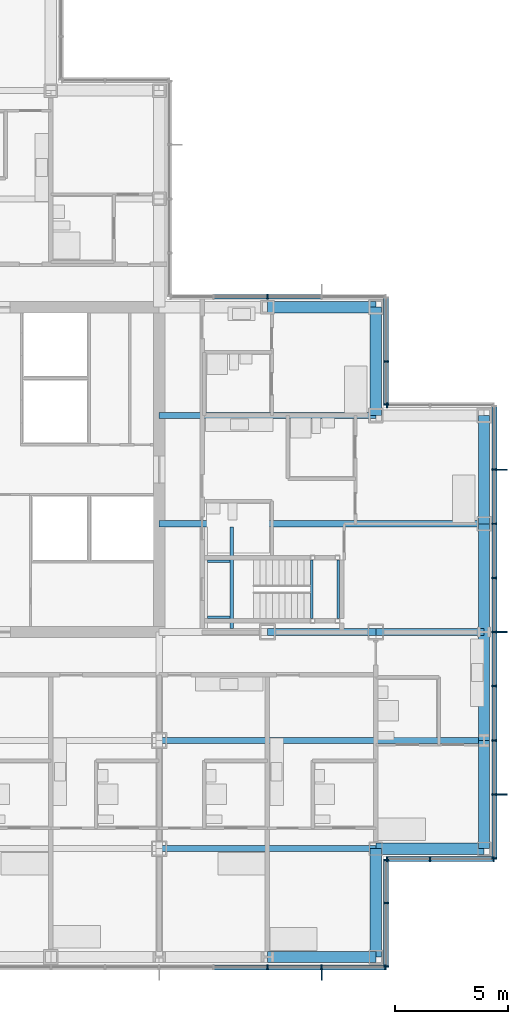
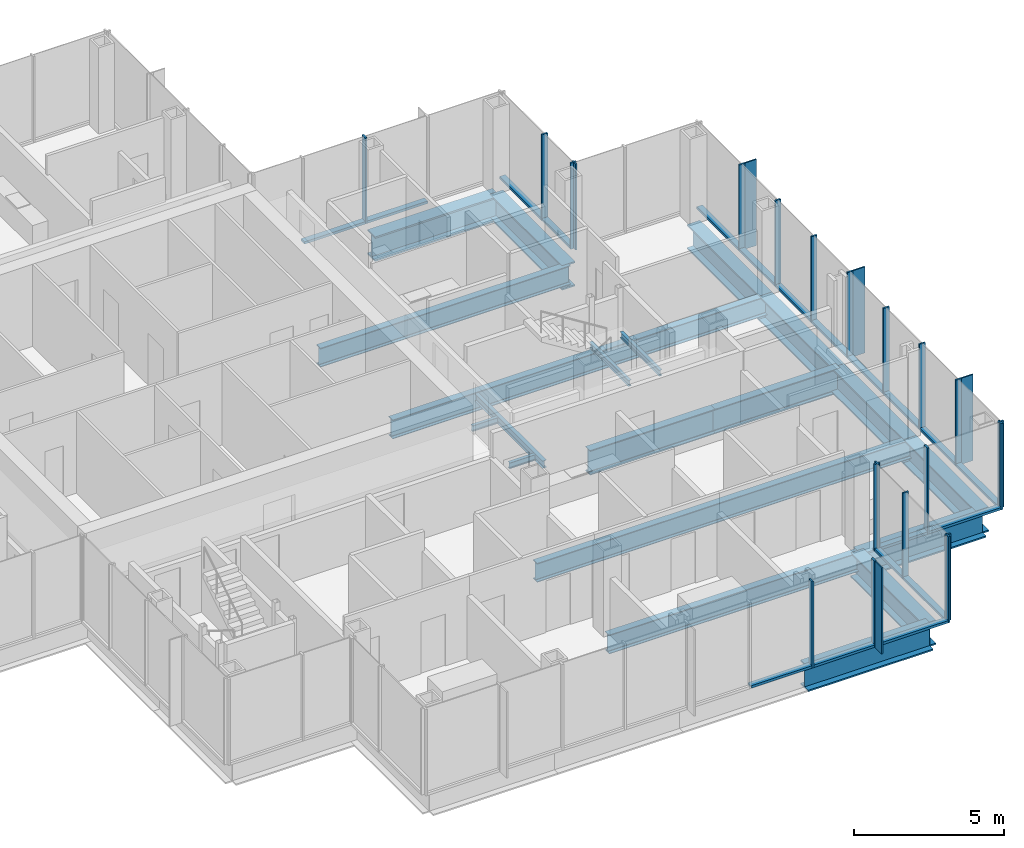
# One storey, part 8 of 20: 44 members, 20 beams, 7 elements without a shape of their own.
"""IFC4 building model written with IfcOpenShell, lengths in metres."""

from ifc_helpers import new_model, si_unit, direction, frame, origin, origin_2d, place, context, subcontext, project, spatial, rectangle, i_section, extrude, material, material_profile, profile_set, type_object, element, aggregate, save


model = new_model("IFC4")

# Units and contexts
model_context = context("Model", 3, precision=1e-05, world=origin(), true_north=direction((0.0, 1.0)))
body_context = subcontext(model_context, "Body", "Model", "MODEL_VIEW")
ifc_project = project(units=[si_unit("LENGTHUNIT", "METRE"), si_unit("AREAUNIT", "SQUARE_METRE"), si_unit("VOLUMEUNIT", "CUBIC_METRE"), si_unit("PLANEANGLEUNIT", "RADIAN"), si_unit("MASSUNIT", "GRAM", prefix="KILO")], contexts=[model_context])

# Site, building, storey
site_placement = place(None, origin())
site = spatial("IfcSite", under=ifc_project, at=site_placement, CompositionType="ELEMENT")
building_placement = place(site_placement, origin())
building = spatial("IfcBuilding", under=site, at=building_placement, Name="Kvirike Care Tower", CompositionType="ELEMENT")
storey_placement = place(building_placement, frame((0.0, 0.0, 91.0)))
storey = spatial("IfcBuildingStorey", under=building, at=storey_placement, Name="L24", CompositionType="ELEMENT", Elevation=91.0)

# Curtain wall, members
ifc_material_1 = material(Name="Anodised aluminium stick system", Category="aluminium")
curtain_wall_type = type_object("IfcCurtainWallType", Name="CW-B STICK CURTAIN WALL", PredefinedType="NOTDEFINED", material=ifc_material_1)
curtain_wall_1_placement = place(storey_placement, origin())
curtain_wall_1 = element("IfcCurtainWall", 1, at=curtain_wall_1_placement, inside=storey, type_object=curtain_wall_type, Name="Curtain wall L24 face 1", PredefinedType="NOTDEFINED")
ifc_material_2 = material(Name="Bronze anodised aluminium fin", Category="aluminium")
ifc_material_profile_1 = material_profile(ifc_material_2, rectangle(XDim=0.050048828125, YDim=0.449951171875, at=origin_2d()), Name="BRONZE FIN 450")
ifc_profile_set_1 = profile_set([ifc_material_profile_1], Name="Bronze anodised aluminium fin")
member_type_1 = type_object("IfcMemberType", Name="BRONZE FIN 450", PredefinedType="USERDEFINED", material=ifc_profile_set_1)
member_1_placement = place(storey_placement, frame((43.9951171875, 21.60009765625, 0.0), z_axis=(0.0, 0.0, 1.0), x_axis=(0.0, 1.0, 0.0)))
member_1 = element("IfcMember", 2, at=member_1_placement, type_object=member_type_1, Name="Bronze fin L24 face 1.2", ObjectType="FIN", PredefinedType="USERDEFINED", context=body_context, shape_type="SweptSolid", body=[
    extrude(rectangle(XDim=0.050048828125, YDim=0.449951171875, at=origin_2d()), origin(), (0.0, 0.0, 1.0), 3.5),
])
member_2_placement = place(storey_placement, frame((43.9951171875, 28.800048828125, 0.0), z_axis=(0.0, 0.0, 1.0), x_axis=(0.0, 1.0, 0.0)))
member_2 = element("IfcMember", 3, at=member_2_placement, type_object=member_type_1, Name="Bronze fin L24 face 1.5", ObjectType="FIN", PredefinedType="USERDEFINED", context=body_context, shape_type="SweptSolid", body=[
    extrude(rectangle(XDim=0.050048828125, YDim=0.449951171875, at=origin_2d()), origin(), (0.0, 0.0, 1.0), 3.5),
])
member_3_placement = place(storey_placement, frame((43.9951171875, 36.0, 0.0), z_axis=(0.0, 0.0, 1.0), x_axis=(0.0, 1.0, 0.0)))
member_3 = element("IfcMember", 4, at=member_3_placement, type_object=member_type_1, Name="Bronze fin L24 face 1.8", ObjectType="FIN", PredefinedType="USERDEFINED", context=body_context, shape_type="SweptSolid", body=[
    extrude(rectangle(XDim=0.050048828125, YDim=0.449951171875, at=origin_2d()), origin(), (0.0, 0.0, 1.0), 3.5),
])

# Curtain wall, member
curtain_wall_2_placement = place(storey_placement, origin())
curtain_wall_2 = element("IfcCurtainWall", 5, at=curtain_wall_2_placement, inside=storey, type_object=curtain_wall_type, Name="Curtain wall L24 face 18", PredefinedType="NOTDEFINED")
member_4_placement = place(storey_placement, frame((36.0, 13.60498046875, 0.0), z_axis=(0.0, 0.0, 1.0), x_axis=(1.0, 0.0, 0.0)))
member_4 = element("IfcMember", 6, at=member_4_placement, type_object=member_type_1, Name="Bronze fin L24 face 18.8", ObjectType="FIN", PredefinedType="USERDEFINED", context=body_context, shape_type="SweptSolid", body=[
    extrude(rectangle(XDim=0.050048828125, YDim=0.449951171875, at=origin_2d()), origin(), (0.0, 0.0, 1.0), 3.5),
])

# Member
ifc_material_3 = material(Name="Bronze anodised aluminium mullion", Category="aluminium")
ifc_material_profile_2 = material_profile(ifc_material_3, rectangle(XDim=0.06494140625, YDim=0.219970703125, at=origin_2d()), Name="CW-B MULLION 65x220")
ifc_profile_set_2 = profile_set([ifc_material_profile_2], Name="Bronze anodised aluminium mullion")
member_type_2 = type_object("IfcMemberType", Name="CW-B MULLION 65x220", PredefinedType="MULLION", material=ifc_profile_set_2)
member_5_placement = place(storey_placement, frame((43.659912109375, 18.7724609375, 0.0), z_axis=(0.0, 0.0, 1.0), x_axis=(0.0, 1.0, 0.0)))
member_5 = element("IfcMember", 7, at=member_5_placement, type_object=member_type_2, Name="CW-B mullion L24 face 1.1", PredefinedType="MULLION", context=body_context, shape_type="SweptSolid", body=[
    extrude(rectangle(XDim=0.06494140625, YDim=0.219970703125, at=origin_2d()), origin(), (0.0, 0.0, 1.0), 3.5),
])

member_6_placement = place(storey_placement, frame((43.659912109375, 21.60009765625, 0.0), z_axis=(0.0, 0.0, 1.0), x_axis=(0.0, 1.0, 0.0)))
member_6 = element("IfcMember", 8, at=member_6_placement, type_object=member_type_2, Name="CW-B mullion L24 face 1.2", PredefinedType="MULLION", context=body_context, shape_type="SweptSolid", body=[
    extrude(rectangle(XDim=0.06494140625, YDim=0.219970703125, at=origin_2d()), origin(), (0.0, 0.0, 1.0), 3.5),
])

member_7_placement = place(storey_placement, frame((43.659912109375, 24.0, 0.0), z_axis=(0.0, 0.0, 1.0), x_axis=(0.0, 1.0, 0.0)))
member_7 = element("IfcMember", 9, at=member_7_placement, type_object=member_type_2, Name="CW-B mullion L24 face 1.3", PredefinedType="MULLION", context=body_context, shape_type="SweptSolid", body=[
    extrude(rectangle(XDim=0.06494140625, YDim=0.219970703125, at=origin_2d()), origin(), (0.0, 0.0, 1.0), 3.5),
])

member_8_placement = place(storey_placement, frame((43.659912109375, 26.39990234375, 0.0), z_axis=(0.0, 0.0, 1.0), x_axis=(0.0, 1.0, 0.0)))
member_8 = element("IfcMember", 10, at=member_8_placement, type_object=member_type_2, Name="CW-B mullion L24 face 1.4", PredefinedType="MULLION", context=body_context, shape_type="SweptSolid", body=[
    extrude(rectangle(XDim=0.06494140625, YDim=0.219970703125, at=origin_2d()), origin(), (0.0, 0.0, 1.0), 3.5),
])

member_9_placement = place(storey_placement, frame((43.659912109375, 28.800048828125, 0.0), z_axis=(0.0, 0.0, 1.0), x_axis=(0.0, 1.0, 0.0)))
member_9 = element("IfcMember", 11, at=member_9_placement, type_object=member_type_2, Name="CW-B mullion L24 face 1.5", PredefinedType="MULLION", context=body_context, shape_type="SweptSolid", body=[
    extrude(rectangle(XDim=0.06494140625, YDim=0.219970703125, at=origin_2d()), origin(), (0.0, 0.0, 1.0), 3.5),
])

member_10_placement = place(storey_placement, frame((43.659912109375, 31.199951171875, 0.0), z_axis=(0.0, 0.0, 1.0), x_axis=(0.0, 1.0, 0.0)))
member_10 = element("IfcMember", 12, at=member_10_placement, type_object=member_type_2, Name="CW-B mullion L24 face 1.6", PredefinedType="MULLION", context=body_context, shape_type="SweptSolid", body=[
    extrude(rectangle(XDim=0.06494140625, YDim=0.219970703125, at=origin_2d()), origin(), (0.0, 0.0, 1.0), 3.5),
])

member_11_placement = place(storey_placement, frame((43.659912109375, 33.60009765625, 0.0), z_axis=(0.0, 0.0, 1.0), x_axis=(0.0, 1.0, 0.0)))
member_11 = element("IfcMember", 13, at=member_11_placement, type_object=member_type_2, Name="CW-B mullion L24 face 1.7", PredefinedType="MULLION", context=body_context, shape_type="SweptSolid", body=[
    extrude(rectangle(XDim=0.06494140625, YDim=0.219970703125, at=origin_2d()), origin(), (0.0, 0.0, 1.0), 3.5),
])

member_12_placement = place(storey_placement, frame((43.659912109375, 36.0, 0.0), z_axis=(0.0, 0.0, 1.0), x_axis=(0.0, 1.0, 0.0)))
member_12 = element("IfcMember", 14, at=member_12_placement, type_object=member_type_2, Name="CW-B mullion L24 face 1.8", PredefinedType="MULLION", context=body_context, shape_type="SweptSolid", body=[
    extrude(rectangle(XDim=0.06494140625, YDim=0.219970703125, at=origin_2d()), origin(), (0.0, 0.0, 1.0), 3.5),
])

# Curtain wall, member
curtain_wall_3_placement = place(storey_placement, origin())
curtain_wall_3 = element("IfcCurtainWall", 15, at=curtain_wall_3_placement, inside=storey, type_object=curtain_wall_type, Name="Curtain wall L24 face 2", PredefinedType="NOTDEFINED")
member_13_placement = place(storey_placement, frame((38.892578125, 38.860107421875, 0.0), z_axis=(0.0, 0.0, 1.0), x_axis=(-1.0, 0.0, 0.0)))
member_13 = element("IfcMember", 16, at=member_13_placement, type_object=member_type_2, Name="CW-B mullion L24 face 2.3", PredefinedType="MULLION", context=body_context, shape_type="SweptSolid", body=[
    extrude(rectangle(XDim=0.06494140625, YDim=0.219970703125, at=origin_2d()), origin(), (0.0, 0.0, 1.0), 3.5),
])
aggregate(curtain_wall_3, [member_13])

# Curtain wall, members
curtain_wall_4_placement = place(storey_placement, origin())
curtain_wall_4 = element("IfcCurtainWall", 17, at=curtain_wall_4_placement, inside=storey, type_object=curtain_wall_type, Name="Curtain wall L24 face 3", PredefinedType="NOTDEFINED")
member_14_placement = place(storey_placement, frame((38.860107421875, 38.892578125, 0.0), z_axis=(0.0, 0.0, 1.0), x_axis=(0.0, 1.0, 0.0)))
member_14 = element("IfcMember", 18, at=member_14_placement, type_object=member_type_2, Name="CW-B mullion L24 face 3.1", PredefinedType="MULLION", context=body_context, shape_type="SweptSolid", body=[
    extrude(rectangle(XDim=0.06494140625, YDim=0.219970703125, at=origin_2d()), origin(), (0.0, 0.0, 1.0), 3.5),
])
member_15_placement = place(storey_placement, frame((38.860107421875, 40.800048828125, 0.0), z_axis=(0.0, 0.0, 1.0), x_axis=(0.0, 1.0, 0.0)))
member_15 = element("IfcMember", 19, at=member_15_placement, type_object=member_type_2, Name="CW-B mullion L24 face 3.2", PredefinedType="MULLION", context=body_context, shape_type="SweptSolid", body=[
    extrude(rectangle(XDim=0.06494140625, YDim=0.219970703125, at=origin_2d()), origin(), (0.0, 0.0, 1.0), 3.5),
])

# Curtain wall, member
curtain_wall_5_placement = place(storey_placement, origin())
curtain_wall_5 = element("IfcCurtainWall", 20, at=curtain_wall_5_placement, inside=storey, type_object=curtain_wall_type, Name="Curtain wall L24 face 4", PredefinedType="NOTDEFINED")
member_16_placement = place(storey_placement, frame((33.60009765625, 43.659912109375, 0.0), z_axis=(0.0, 0.0, 1.0), x_axis=(-1.0, 0.0, 0.0)))
member_16 = element("IfcMember", 21, at=member_16_placement, type_object=member_type_2, Name="CW-B mullion L24 face 4.3", PredefinedType="MULLION", context=body_context, shape_type="SweptSolid", body=[
    extrude(rectangle(XDim=0.06494140625, YDim=0.219970703125, at=origin_2d()), origin(), (0.0, 0.0, 1.0), 3.5),
])

# Member
member_17_placement = place(storey_placement, frame((33.60009765625, 13.93994140625, 0.0), z_axis=(0.0, 0.0, 1.0), x_axis=(1.0, 0.0, 0.0)))
member_17 = element("IfcMember", 22, at=member_17_placement, type_object=member_type_2, Name="CW-B mullion L24 face 18.7", PredefinedType="MULLION", context=body_context, shape_type="SweptSolid", body=[
    extrude(rectangle(XDim=0.06494140625, YDim=0.219970703125, at=origin_2d()), origin(), (0.0, 0.0, 1.0), 3.5),
])

member_18_placement = place(storey_placement, frame((36.0, 13.93994140625, 0.0), z_axis=(0.0, 0.0, 1.0), x_axis=(1.0, 0.0, 0.0)))
member_18 = element("IfcMember", 23, at=member_18_placement, type_object=member_type_2, Name="CW-B mullion L24 face 18.8", PredefinedType="MULLION", context=body_context, shape_type="SweptSolid", body=[
    extrude(rectangle(XDim=0.06494140625, YDim=0.219970703125, at=origin_2d()), origin(), (0.0, 0.0, 1.0), 3.5),
])

member_19_placement = place(storey_placement, frame((38.827392578125, 13.93994140625, 0.0), z_axis=(0.0, 0.0, 1.0), x_axis=(1.0, 0.0, 0.0)))
member_19 = element("IfcMember", 24, at=member_19_placement, type_object=member_type_2, Name="CW-B mullion L24 face 18.9", PredefinedType="MULLION", context=body_context, shape_type="SweptSolid", body=[
    extrude(rectangle(XDim=0.06494140625, YDim=0.219970703125, at=origin_2d()), origin(), (0.0, 0.0, 1.0), 3.5),
])

# Curtain wall, members
curtain_wall_6_placement = place(storey_placement, origin())
curtain_wall_6 = element("IfcCurtainWall", 25, at=curtain_wall_6_placement, inside=storey, type_object=curtain_wall_type, Name="Curtain wall L24 face 19", PredefinedType="NOTDEFINED")
member_20_placement = place(storey_placement, frame((38.860107421875, 13.972412109375, 0.0), z_axis=(0.0, 0.0, 1.0), x_axis=(0.0, 1.0, 0.0)))
member_20 = element("IfcMember", 26, at=member_20_placement, type_object=member_type_2, Name="CW-B mullion L24 face 19.1", PredefinedType="MULLION", context=body_context, shape_type="SweptSolid", body=[
    extrude(rectangle(XDim=0.06494140625, YDim=0.219970703125, at=origin_2d()), origin(), (0.0, 0.0, 1.0), 3.5),
])
member_21_placement = place(storey_placement, frame((38.860107421875, 16.800048828125, 0.0), z_axis=(0.0, 0.0, 1.0), x_axis=(0.0, 1.0, 0.0)))
member_21 = element("IfcMember", 27, at=member_21_placement, type_object=member_type_2, Name="CW-B mullion L24 face 19.2", PredefinedType="MULLION", context=body_context, shape_type="SweptSolid", body=[
    extrude(rectangle(XDim=0.06494140625, YDim=0.219970703125, at=origin_2d()), origin(), (0.0, 0.0, 1.0), 3.5),
])
member_22_placement = place(storey_placement, frame((38.860107421875, 18.70751953125, 0.0), z_axis=(0.0, 0.0, 1.0), x_axis=(0.0, 1.0, 0.0)))
member_22 = element("IfcMember", 28, at=member_22_placement, type_object=member_type_2, Name="CW-B mullion L24 face 19.3", PredefinedType="MULLION", context=body_context, shape_type="SweptSolid", body=[
    extrude(rectangle(XDim=0.06494140625, YDim=0.219970703125, at=origin_2d()), origin(), (0.0, 0.0, 1.0), 3.5),
])

curtain_wall_7_placement = place(storey_placement, origin())
curtain_wall_7 = element("IfcCurtainWall", 29, at=curtain_wall_7_placement, inside=storey, type_object=curtain_wall_type, Name="Curtain wall L24 face 20", PredefinedType="NOTDEFINED")
member_23_placement = place(storey_placement, frame((38.892578125, 18.739990234375, 0.0), z_axis=(0.0, 0.0, 1.0), x_axis=(1.0, 0.0, 0.0)))
member_23 = element("IfcMember", 30, at=member_23_placement, type_object=member_type_2, Name="CW-B mullion L24 face 20.1", PredefinedType="MULLION", context=body_context, shape_type="SweptSolid", body=[
    extrude(rectangle(XDim=0.06494140625, YDim=0.219970703125, at=origin_2d()), origin(), (0.0, 0.0, 1.0), 3.5),
])
member_24_placement = place(storey_placement, frame((40.800048828125, 18.739990234375, 0.0), z_axis=(0.0, 0.0, 1.0), x_axis=(1.0, 0.0, 0.0)))
member_24 = element("IfcMember", 31, at=member_24_placement, type_object=member_type_2, Name="CW-B mullion L24 face 20.2", PredefinedType="MULLION", context=body_context, shape_type="SweptSolid", body=[
    extrude(rectangle(XDim=0.06494140625, YDim=0.219970703125, at=origin_2d()), origin(), (0.0, 0.0, 1.0), 3.5),
])
member_25_placement = place(storey_placement, frame((43.62744140625, 18.739990234375, 0.0), z_axis=(0.0, 0.0, 1.0), x_axis=(1.0, 0.0, 0.0)))
member_25 = element("IfcMember", 32, at=member_25_placement, type_object=member_type_2, Name="CW-B mullion L24 face 20.3", PredefinedType="MULLION", context=body_context, shape_type="SweptSolid", body=[
    extrude(rectangle(XDim=0.06494140625, YDim=0.219970703125, at=origin_2d()), origin(), (0.0, 0.0, 1.0), 3.5),
])

# Member
ifc_material_4 = material(Name="Bronze anodised aluminium transom", Category="aluminium")
ifc_material_profile_3 = material_profile(ifc_material_4, rectangle(XDim=0.219970703125, YDim=0.10009765625, at=origin_2d()), Name="CW-B TRANSOM 220x100")
ifc_profile_set_3 = profile_set([ifc_material_profile_3], Name="Bronze anodised aluminium transom")
member_type_3 = type_object("IfcMemberType", Name="CW-B TRANSOM 220x100", PredefinedType="USERDEFINED", material=ifc_profile_set_3)
member_26_placement = place(storey_placement, frame((43.659912109375, 18.804931640625, 0.050048828125), z_axis=(0.0, 1.0, 0.0), x_axis=(-1.0, 0.0, 0.0)))
member_26 = element("IfcMember", 33, at=member_26_placement, type_object=member_type_3, Name="CW-B sill transom L24 face 1.1", ObjectType="TRANSOM", PredefinedType="USERDEFINED", context=body_context, shape_type="SweptSolid", body=[
    extrude(rectangle(XDim=0.219970703125, YDim=0.10009765625, at=origin_2d()), origin(), (0.0, 0.0, 1.0), 2.762451171875),
])

member_27_placement = place(storey_placement, frame((43.659912109375, 21.632568359375, 0.050048828125), z_axis=(0.0, 1.0, 0.0), x_axis=(-1.0, 0.0, 0.0)))
member_27 = element("IfcMember", 34, at=member_27_placement, type_object=member_type_3, Name="CW-B sill transom L24 face 1.2", ObjectType="TRANSOM", PredefinedType="USERDEFINED", context=body_context, shape_type="SweptSolid", body=[
    extrude(rectangle(XDim=0.219970703125, YDim=0.10009765625, at=origin_2d()), origin(), (0.0, 0.0, 1.0), 2.3349609375),
])

member_28_placement = place(storey_placement, frame((43.659912109375, 24.032470703125, 0.050048828125), z_axis=(0.0, 1.0, 0.0), x_axis=(-1.0, 0.0, 0.0)))
member_28 = element("IfcMember", 35, at=member_28_placement, type_object=member_type_3, Name="CW-B sill transom L24 face 1.3", ObjectType="TRANSOM", PredefinedType="USERDEFINED", context=body_context, shape_type="SweptSolid", body=[
    extrude(rectangle(XDim=0.219970703125, YDim=0.10009765625, at=origin_2d()), origin(), (0.0, 0.0, 1.0), 2.3349609375),
])

member_29_placement = place(storey_placement, frame((43.659912109375, 26.4326171875, 0.050048828125), z_axis=(0.0, 1.0, 0.0), x_axis=(-1.0, 0.0, 0.0)))
member_29 = element("IfcMember", 36, at=member_29_placement, type_object=member_type_3, Name="CW-B sill transom L24 face 1.4", ObjectType="TRANSOM", PredefinedType="USERDEFINED", context=body_context, shape_type="SweptSolid", body=[
    extrude(rectangle(XDim=0.219970703125, YDim=0.10009765625, at=origin_2d()), origin(), (0.0, 0.0, 1.0), 2.3349609375),
])

member_30_placement = place(storey_placement, frame((43.659912109375, 28.83251953125, 0.050048828125), z_axis=(0.0, 1.0, 0.0), x_axis=(-1.0, 0.0, 0.0)))
member_30 = element("IfcMember", 37, at=member_30_placement, type_object=member_type_3, Name="CW-B sill transom L24 face 1.5", ObjectType="TRANSOM", PredefinedType="USERDEFINED", context=body_context, shape_type="SweptSolid", body=[
    extrude(rectangle(XDim=0.219970703125, YDim=0.10009765625, at=origin_2d()), origin(), (0.0, 0.0, 1.0), 2.3349609375),
])

member_31_placement = place(storey_placement, frame((43.659912109375, 31.232421875, 0.050048828125), z_axis=(0.0, 1.0, 0.0), x_axis=(-1.0, 0.0, 0.0)))
member_31 = element("IfcMember", 38, at=member_31_placement, type_object=member_type_3, Name="CW-B sill transom L24 face 1.6", ObjectType="TRANSOM", PredefinedType="USERDEFINED", context=body_context, shape_type="SweptSolid", body=[
    extrude(rectangle(XDim=0.219970703125, YDim=0.10009765625, at=origin_2d()), origin(), (0.0, 0.0, 1.0), 2.3349609375),
])

member_32_placement = place(storey_placement, frame((43.659912109375, 33.632568359375, 0.050048828125), z_axis=(0.0, 1.0, 0.0), x_axis=(-1.0, 0.0, 0.0)))
member_32 = element("IfcMember", 39, at=member_32_placement, type_object=member_type_3, Name="CW-B sill transom L24 face 1.7", ObjectType="TRANSOM", PredefinedType="USERDEFINED", context=body_context, shape_type="SweptSolid", body=[
    extrude(rectangle(XDim=0.219970703125, YDim=0.10009765625, at=origin_2d()), origin(), (0.0, 0.0, 1.0), 2.3349609375),
])

member_33_placement = place(storey_placement, frame((43.659912109375, 36.032470703125, 0.050048828125), z_axis=(0.0, 1.0, 0.0), x_axis=(-1.0, 0.0, 0.0)))
member_33 = element("IfcMember", 40, at=member_33_placement, type_object=member_type_3, Name="CW-B sill transom L24 face 1.8", ObjectType="TRANSOM", PredefinedType="USERDEFINED", context=body_context, shape_type="SweptSolid", body=[
    extrude(rectangle(XDim=0.219970703125, YDim=0.10009765625, at=origin_2d()), origin(), (0.0, 0.0, 1.0), 2.762451171875),
])

aggregate(curtain_wall_1, [member_5, member_6, member_1, member_7, member_8, member_9, member_2, member_10, member_11, member_12, member_3, member_26, member_27, member_28, member_29, member_30, member_31, member_32, member_33])

member_34_placement = place(storey_placement, frame((38.860107421875, 38.925048828125, 0.050048828125), z_axis=(0.0, 1.0, 0.0), x_axis=(-1.0, 0.0, 0.0)))
member_34 = element("IfcMember", 41, at=member_34_placement, type_object=member_type_3, Name="CW-B sill transom L24 face 3.1", ObjectType="TRANSOM", PredefinedType="USERDEFINED", context=body_context, shape_type="SweptSolid", body=[
    extrude(rectangle(XDim=0.219970703125, YDim=0.10009765625, at=origin_2d()), origin(), (0.0, 0.0, 1.0), 1.842529296875),
])

member_35_placement = place(storey_placement, frame((38.860107421875, 40.83251953125, 0.050048828125), z_axis=(0.0, 1.0, 0.0), x_axis=(-1.0, 0.0, 0.0)))
member_35 = element("IfcMember", 42, at=member_35_placement, type_object=member_type_3, Name="CW-B sill transom L24 face 3.2", ObjectType="TRANSOM", PredefinedType="USERDEFINED", context=body_context, shape_type="SweptSolid", body=[
    extrude(rectangle(XDim=0.219970703125, YDim=0.10009765625, at=origin_2d()), origin(), (0.0, 0.0, 1.0), 2.762451171875),
])

aggregate(curtain_wall_4, [member_14, member_15, member_34, member_35])

member_36_placement = place(storey_placement, frame((35.967529296875, 43.659912109375, 0.050048828125), z_axis=(-1.0, 0.0, 0.0), x_axis=(0.0, -1.0, 0.0)))
member_36 = element("IfcMember", 43, at=member_36_placement, type_object=member_type_3, Name="CW-B sill transom L24 face 4.2", ObjectType="TRANSOM", PredefinedType="USERDEFINED", context=body_context, shape_type="SweptSolid", body=[
    extrude(rectangle(XDim=0.219970703125, YDim=0.10009765625, at=origin_2d()), origin(), (0.0, 0.0, 1.0), 2.3349609375),
])

member_37_placement = place(storey_placement, frame((33.5673828125, 43.659912109375, 0.050048828125), z_axis=(-1.0, 0.0, 0.0), x_axis=(0.0, -1.0, 0.0)))
member_37 = element("IfcMember", 44, at=member_37_placement, type_object=member_type_3, Name="CW-B sill transom L24 face 4.3", ObjectType="TRANSOM", PredefinedType="USERDEFINED", context=body_context, shape_type="SweptSolid", body=[
    extrude(rectangle(XDim=0.219970703125, YDim=0.10009765625, at=origin_2d()), origin(), (0.0, 0.0, 1.0), 2.3349609375),
])

aggregate(curtain_wall_5, [member_16, member_36, member_37])

member_38_placement = place(storey_placement, frame((31.232421875, 13.93994140625, 0.050048828125), z_axis=(1.0, 0.0, 0.0), x_axis=(0.0, 1.0, 0.0)))
member_38 = element("IfcMember", 45, at=member_38_placement, type_object=member_type_3, Name="CW-B sill transom L24 face 18.6", ObjectType="TRANSOM", PredefinedType="USERDEFINED", context=body_context, shape_type="SweptSolid", body=[
    extrude(rectangle(XDim=0.219970703125, YDim=0.10009765625, at=origin_2d()), origin(), (0.0, 0.0, 1.0), 2.3349609375),
])

member_39_placement = place(storey_placement, frame((33.632568359375, 13.93994140625, 0.050048828125), z_axis=(1.0, 0.0, 0.0), x_axis=(0.0, 1.0, 0.0)))
member_39 = element("IfcMember", 46, at=member_39_placement, type_object=member_type_3, Name="CW-B sill transom L24 face 18.7", ObjectType="TRANSOM", PredefinedType="USERDEFINED", context=body_context, shape_type="SweptSolid", body=[
    extrude(rectangle(XDim=0.219970703125, YDim=0.10009765625, at=origin_2d()), origin(), (0.0, 0.0, 1.0), 2.3349609375),
])

member_40_placement = place(storey_placement, frame((36.032470703125, 13.93994140625, 0.050048828125), z_axis=(1.0, 0.0, 0.0), x_axis=(0.0, 1.0, 0.0)))
member_40 = element("IfcMember", 47, at=member_40_placement, type_object=member_type_3, Name="CW-B sill transom L24 face 18.8", ObjectType="TRANSOM", PredefinedType="USERDEFINED", context=body_context, shape_type="SweptSolid", body=[
    extrude(rectangle(XDim=0.219970703125, YDim=0.10009765625, at=origin_2d()), origin(), (0.0, 0.0, 1.0), 2.762451171875),
])

aggregate(curtain_wall_2, [member_17, member_18, member_4, member_19, member_38, member_39, member_40])

member_41_placement = place(storey_placement, frame((38.860107421875, 14.0048828125, 0.050048828125), z_axis=(0.0, 1.0, 0.0), x_axis=(-1.0, 0.0, 0.0)))
member_41 = element("IfcMember", 48, at=member_41_placement, type_object=member_type_3, Name="CW-B sill transom L24 face 19.1", ObjectType="TRANSOM", PredefinedType="USERDEFINED", context=body_context, shape_type="SweptSolid", body=[
    extrude(rectangle(XDim=0.219970703125, YDim=0.10009765625, at=origin_2d()), origin(), (0.0, 0.0, 1.0), 2.7626953125),
])

member_42_placement = place(storey_placement, frame((38.860107421875, 16.83251953125, 0.050048828125), z_axis=(0.0, 1.0, 0.0), x_axis=(-1.0, 0.0, 0.0)))
member_42 = element("IfcMember", 49, at=member_42_placement, type_object=member_type_3, Name="CW-B sill transom L24 face 19.2", ObjectType="TRANSOM", PredefinedType="USERDEFINED", context=body_context, shape_type="SweptSolid", body=[
    extrude(rectangle(XDim=0.219970703125, YDim=0.10009765625, at=origin_2d()), origin(), (0.0, 0.0, 1.0), 1.842529296875),
])

aggregate(curtain_wall_6, [member_20, member_21, member_22, member_41, member_42])

member_43_placement = place(storey_placement, frame((38.925048828125, 18.739990234375, 0.050048828125), z_axis=(1.0, 0.0, 0.0), x_axis=(0.0, 1.0, 0.0)))
member_43 = element("IfcMember", 50, at=member_43_placement, type_object=member_type_3, Name="CW-B sill transom L24 face 20.1", ObjectType="TRANSOM", PredefinedType="USERDEFINED", context=body_context, shape_type="SweptSolid", body=[
    extrude(rectangle(XDim=0.219970703125, YDim=0.10009765625, at=origin_2d()), origin(), (0.0, 0.0, 1.0), 1.842529296875),
])

member_44_placement = place(storey_placement, frame((40.83251953125, 18.739990234375, 0.050048828125), z_axis=(1.0, 0.0, 0.0), x_axis=(0.0, 1.0, 0.0)))
member_44 = element("IfcMember", 51, at=member_44_placement, type_object=member_type_3, Name="CW-B sill transom L24 face 20.2", ObjectType="TRANSOM", PredefinedType="USERDEFINED", context=body_context, shape_type="SweptSolid", body=[
    extrude(rectangle(XDim=0.219970703125, YDim=0.10009765625, at=origin_2d()), origin(), (0.0, 0.0, 1.0), 2.762451171875),
])

aggregate(curtain_wall_7, [member_23, member_24, member_25, member_43, member_44])

# Beams
ifc_material_5 = material(Name="Steel S355", Category="steel")
ifc_material_profile_4 = material_profile(ifc_material_5, i_section(OverallWidth=0.26806640625, OverallDepth=0.77001953125, WebThickness=0.015625, FlangeThickness=0.025390625, FilletRadius=0.01708984375, at=origin_2d()), Name="IPE 750x196")
ifc_profile_set_4 = profile_set([ifc_material_profile_4], Name="Steel S355")
beam_type_1 = type_object("IfcBeamType", Name="FLOOR BEAM IPE 750x196", PredefinedType="BEAM", material=ifc_profile_set_4)
beam_1_placement = place(storey_placement, frame((28.800048828125, 19.199951171875, -0.554931640625), z_axis=(1.0, 0.0, 0.0), x_axis=(0.0, 1.0, 0.0)))
element("IfcBeam", 52, at=beam_1_placement, inside=storey, type_object=beam_type_1, Name="Floor Beam E9-E11 L24", PredefinedType="BEAM", context=body_context, shape_type="SweptSolid", body=[
    extrude(i_section(OverallWidth=0.26806640625, OverallDepth=0.77001953125, WebThickness=0.015625, FlangeThickness=0.025390625, FilletRadius=0.01708984375, at=origin_2d()), origin(), (0.0, 0.0, 1.0), 9.599853515625),
])
for number, where, z_axis, x_axis, name in (
    (53, (28.800048828125, 24.0, -0.554931640625), (1.0, 0.0, 0.0), (0.0, 1.0, 0.0), "Floor Beam F9-F12 L24"),
    (54, (28.800048828125, 33.60009765625, -0.554931640625), (1.0, 0.0, 0.0), (0.0, 1.0, 0.0), "Floor Beam H9-H12 L24"),
):
    element("IfcBeam", number, at=place(storey_placement, frame(where, z_axis=z_axis, x_axis=x_axis)), inside=storey, type_object=beam_type_1, Name=name, PredefinedType="BEAM", context=body_context, shape_type="SweptSolid", body=[
        extrude(i_section(OverallWidth=0.26806640625, OverallDepth=0.77001953125, WebThickness=0.015625, FlangeThickness=0.025390625, FilletRadius=0.01708984375, at=origin_2d()), origin(), (0.0, 0.0, 1.0), 14.39990234375),
    ])
beam_2_placement = place(storey_placement, frame((28.800048828125, 38.39990234375, -0.554931640625), z_axis=(1.0, 0.0, 0.0), x_axis=(0.0, 1.0, 0.0)))
element("IfcBeam", 55, at=beam_2_placement, inside=storey, type_object=beam_type_1, Name="Floor Beam J9-J11 L24", PredefinedType="BEAM", context=body_context, shape_type="SweptSolid", body=[
    extrude(i_section(OverallWidth=0.26806640625, OverallDepth=0.77001953125, WebThickness=0.015625, FlangeThickness=0.025390625, FilletRadius=0.01708984375, at=origin_2d()), origin(), (0.0, 0.0, 1.0), 9.599853515625),
])
ifc_material_6 = material(Name="Steel S355", Category="steel")
ifc_material_profile_5 = material_profile(ifc_material_6, i_section(OverallWidth=0.300048828125, OverallDepth=1.0, WebThickness=0.01904296875, FlangeThickness=0.035888671875, FilletRadius=0.030029296875, at=origin_2d()), Name="HE 1000 B")
ifc_profile_set_5 = profile_set([ifc_material_profile_5], Name="Steel S355")
beam_type_2 = type_object("IfcBeamType", Name="FRAME BEAM HE 1000 B", PredefinedType="BEAM", material=ifc_profile_set_5)
beam_3_placement = place(storey_placement, frame((33.60009765625, 28.800048828125, -0.669921875), z_axis=(1.0, 0.0, 0.0), x_axis=(0.0, 1.0, 0.0)))
element("IfcBeam", 56, at=beam_3_placement, inside=storey, type_object=beam_type_2, Name="Frame Beam G10-G11 L24", PredefinedType="BEAM", context=body_context, shape_type="SweptSolid", body=[
    extrude(i_section(OverallWidth=0.300048828125, OverallDepth=1.0, WebThickness=0.01904296875, FlangeThickness=0.035888671875, FilletRadius=0.030029296875, at=origin_2d()), origin(), (0.0, 0.0, 1.0), 4.7998046875),
])
beam_4_placement = place(storey_placement, frame((38.39990234375, 28.800048828125, -0.669921875), z_axis=(1.0, 0.0, 0.0), x_axis=(0.0, 1.0, 0.0)))
element("IfcBeam", 57, at=beam_4_placement, inside=storey, type_object=beam_type_2, Name="Frame Beam G11-G12 L24", PredefinedType="BEAM", context=body_context, shape_type="SweptSolid", body=[
    extrude(i_section(OverallWidth=0.300048828125, OverallDepth=1.0, WebThickness=0.01904296875, FlangeThickness=0.035888671875, FilletRadius=0.030029296875, at=origin_2d()), origin(), (0.0, 0.0, 1.0), 4.800048828125),
])
ifc_material_7 = material(Name="Steel S355", Category="steel")
ifc_material_profile_6 = material_profile(ifc_material_7, i_section(OverallWidth=0.5, OverallDepth=1.0, WebThickness=0.030029296875, FlangeThickness=0.06005859375, at=origin_2d()), Name="PG 1000x500x30x60")
ifc_profile_set_6 = profile_set([ifc_material_profile_6], Name="Steel S355")
beam_type_3 = type_object("IfcBeamType", Name="SPANDREL PG 1000x500x30x60", PredefinedType="SPANDREL", material=ifc_profile_set_6)
beam_5_placement = place(storey_placement, frame((33.60009765625, 14.39990234375, -0.669921875), z_axis=(1.0, 0.0, 0.0), x_axis=(0.0, 1.0, 0.0)))
element("IfcBeam", 58, at=beam_5_placement, inside=storey, type_object=beam_type_3, Name="Spandrel D10-D11 L24", PredefinedType="SPANDREL", context=body_context, shape_type="SweptSolid", body=[
    extrude(i_section(OverallWidth=0.5, OverallDepth=1.0, WebThickness=0.030029296875, FlangeThickness=0.06005859375, at=origin_2d()), origin(), (0.0, 0.0, 1.0), 4.7998046875),
])
beam_6_placement = place(storey_placement, frame((38.39990234375, 19.199951171875, -0.669921875), z_axis=(1.0, 0.0, 0.0), x_axis=(0.0, 1.0, 0.0)))
element("IfcBeam", 59, at=beam_6_placement, inside=storey, type_object=beam_type_3, Name="Spandrel E11-E12 L24", PredefinedType="SPANDREL", context=body_context, shape_type="SweptSolid", body=[
    extrude(i_section(OverallWidth=0.5, OverallDepth=1.0, WebThickness=0.030029296875, FlangeThickness=0.06005859375, at=origin_2d()), origin(), (0.0, 0.0, 1.0), 4.800048828125),
])
beam_7_placement = place(storey_placement, frame((33.60009765625, 43.199951171875, -0.669921875), z_axis=(1.0, 0.0, 0.0), x_axis=(0.0, 1.0, 0.0)))
element("IfcBeam", 60, at=beam_7_placement, inside=storey, type_object=beam_type_3, Name="Spandrel K10-K11 L24", PredefinedType="SPANDREL", context=body_context, shape_type="SweptSolid", body=[
    extrude(i_section(OverallWidth=0.5, OverallDepth=1.0, WebThickness=0.030029296875, FlangeThickness=0.06005859375, at=origin_2d()), origin(), (0.0, 0.0, 1.0), 4.7998046875),
])
for number, where, z_axis, x_axis, name in (
    (61, (38.39990234375, 14.39990234375, -0.669921875), (0.0, 1.0, 0.0), (-1.0, 0.0, 0.0), "Spandrel D11-E11 L24"),
    (62, (38.39990234375, 38.39990234375, -0.669921875), (0.0, 1.0, 0.0), (-1.0, 0.0, 0.0), "Spandrel J11-K11 L24"),
    (63, (43.199951171875, 19.199951171875, -0.669921875), (0.0, 1.0, 0.0), (-1.0, 0.0, 0.0), "Spandrel E12-F12 L24"),
    (64, (43.199951171875, 24.0, -0.669921875), (0.0, 1.0, 0.0), (-1.0, 0.0, 0.0), "Spandrel F12-G12 L24"),
    (65, (43.199951171875, 28.800048828125, -0.669921875), (0.0, 1.0, 0.0), (-1.0, 0.0, 0.0), "Spandrel G12-H12 L24"),
):
    element("IfcBeam", number, at=place(storey_placement, frame(where, z_axis=z_axis, x_axis=x_axis)), inside=storey, type_object=beam_type_3, Name=name, PredefinedType="SPANDREL", context=body_context, shape_type="SweptSolid", body=[
        extrude(i_section(OverallWidth=0.5, OverallDepth=1.0, WebThickness=0.030029296875, FlangeThickness=0.06005859375, at=origin_2d()), origin(), (0.0, 0.0, 1.0), 4.800048828125),
    ])
beam_8_placement = place(storey_placement, frame((43.199951171875, 33.60009765625, -0.669921875), z_axis=(0.0, 1.0, 0.0), x_axis=(-1.0, 0.0, 0.0)))
element("IfcBeam", 66, at=beam_8_placement, inside=storey, type_object=beam_type_3, Name="Spandrel H12-J12 L24", PredefinedType="SPANDREL", context=body_context, shape_type="SweptSolid", body=[
    extrude(i_section(OverallWidth=0.5, OverallDepth=1.0, WebThickness=0.030029296875, FlangeThickness=0.06005859375, at=origin_2d()), origin(), (0.0, 0.0, 1.0), 4.7998046875),
])
ifc_material_8 = material(Name="Steel S355", Category="steel")
ifc_material_profile_7 = material_profile(ifc_material_8, i_section(OverallWidth=0.1201171875, OverallDepth=0.239990234375, WebThickness=0.006103515625, FlangeThickness=0.009765625, FilletRadius=0.014892578125, at=origin_2d()), Name="IPE 240")
ifc_profile_set_7 = profile_set([ifc_material_profile_7], Name="Steel S355")
beam_type_4 = type_object("IfcBeamType", Name="STAIR LANDING BEAM IPE 240", PredefinedType="BEAM", material=ifc_profile_set_7)
for number, where, z_axis, x_axis, name in (
    (67, (36.739990234375, 29.39990234375, 1.429931640625), (0.0, 1.0, 0.0), (-1.0, 0.0, 0.0), "Stair 2 landing beam back L24"),
    (68, (35.56005859375, 29.39990234375, 1.429931640625), (0.0, 1.0, 0.0), (-1.0, 0.0, 0.0), "Stair 2 landing beam front L24"),
):
    element("IfcBeam", number, at=place(storey_placement, frame(where, z_axis=z_axis, x_axis=x_axis)), inside=storey, type_object=beam_type_4, Name=name, PredefinedType="BEAM", context=body_context, shape_type="SweptSolid", body=[
        extrude(i_section(OverallWidth=0.1201171875, OverallDepth=0.239990234375, WebThickness=0.006103515625, FlangeThickness=0.009765625, FilletRadius=0.014892578125, at=origin_2d()), origin(), (0.0, 0.0, 1.0), 2.60009765625),
    ])
for number, where, z_axis, x_axis, name in (
    (69, (31.949951171875, 29.4599609375, -0.320068359375), (-1.0, 0.0, 0.0), (0.0, -1.0, 0.0), "Stair 2 landing edge beam 1 L24"),
    (70, (31.949951171875, 31.93994140625, -0.320068359375), (-1.0, 0.0, 0.0), (0.0, -1.0, 0.0), "Stair 2 landing edge beam 2 L24"),
):
    element("IfcBeam", number, at=place(storey_placement, frame(where, z_axis=z_axis, x_axis=x_axis)), inside=storey, type_object=beam_type_4, Name=name, PredefinedType="BEAM", context=body_context, shape_type="SweptSolid", body=[
        extrude(i_section(OverallWidth=0.1201171875, OverallDepth=0.239990234375, WebThickness=0.006103515625, FlangeThickness=0.009765625, FilletRadius=0.014892578125, at=origin_2d()), origin(), (0.0, 0.0, 1.0), 1.0),
    ])
ifc_material_9 = material(Name="Steel S355", Category="steel")
ifc_material_profile_8 = material_profile(ifc_material_9, i_section(OverallWidth=0.14990234375, OverallDepth=0.300048828125, WebThickness=0.007080078125, FlangeThickness=0.0107421875, FilletRadius=0.014892578125, at=origin_2d()), Name="IPE 300")
ifc_profile_set_8 = profile_set([ifc_material_profile_8], Name="Steel S355")
beam_type_5 = type_object("IfcBeamType", Name="STAIR TRIMMER IPE 300", PredefinedType="BEAM", material=ifc_profile_set_8)
beam_9_placement = place(storey_placement, frame((32.02490234375, 28.949951171875, -0.35009765625), z_axis=(0.0, 1.0, 0.0), x_axis=(-1.0, 0.0, 0.0)))
element("IfcBeam", 71, at=beam_9_placement, inside=storey, type_object=beam_type_5, Name="Stair 2 trimmer 1 L24", PredefinedType="BEAM", context=body_context, shape_type="SweptSolid", body=[
    extrude(i_section(OverallWidth=0.14990234375, OverallDepth=0.300048828125, WebThickness=0.007080078125, FlangeThickness=0.0107421875, FilletRadius=0.014892578125, at=origin_2d()), origin(), (0.0, 0.0, 1.0), 4.51611328125),
])

save(model, "model.ifc")
